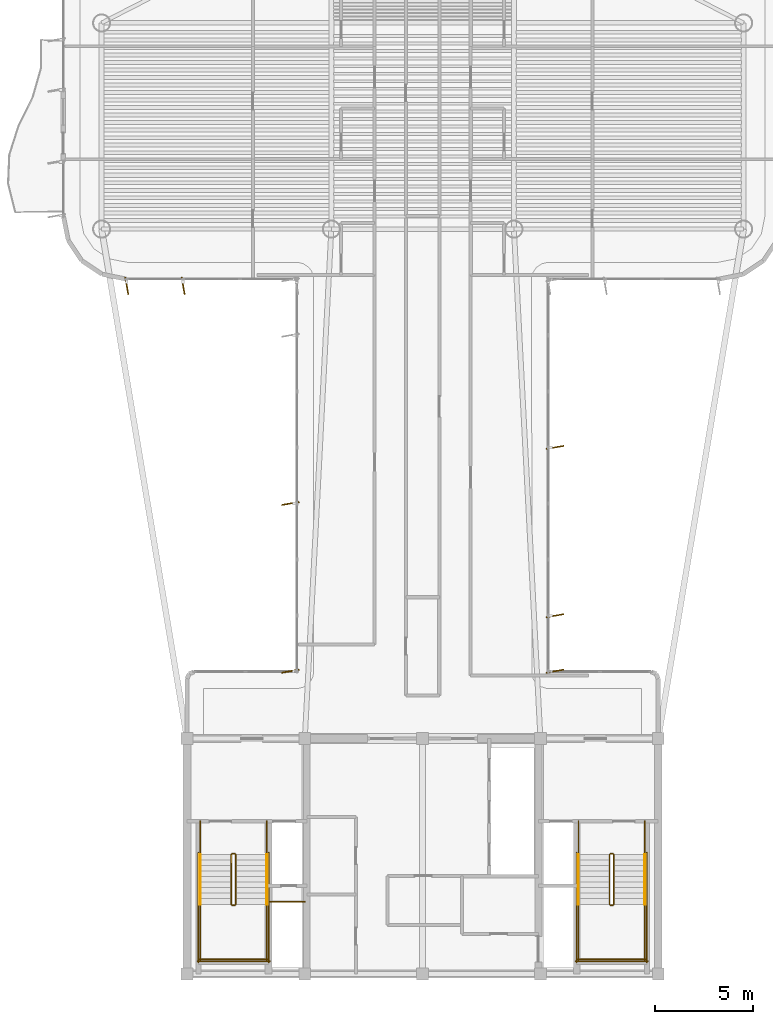
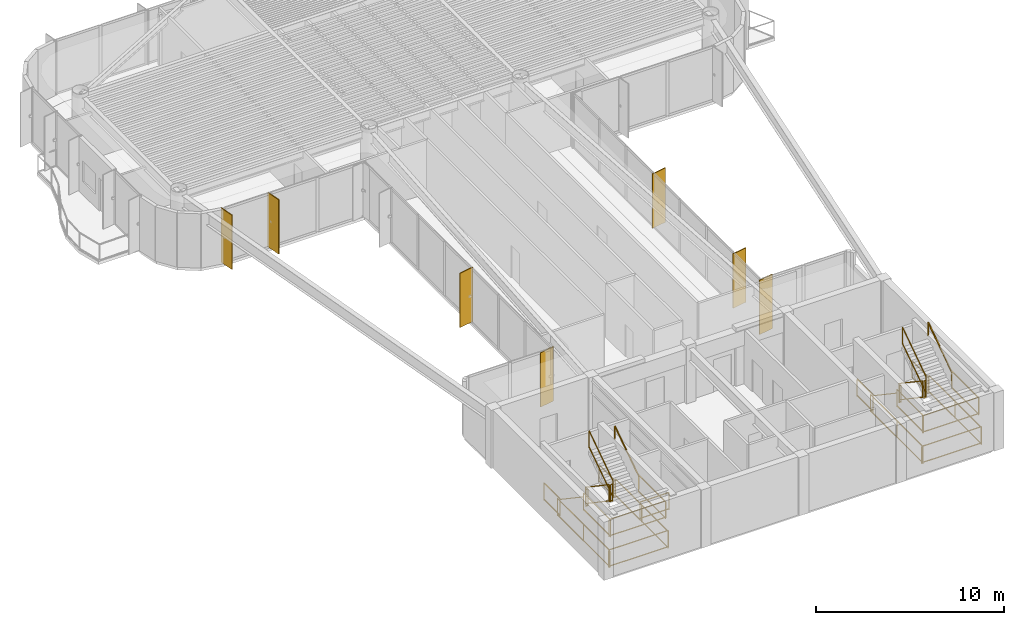
# One storey, part 15 of 16: 29 railings, 7 shading devices.
"""IFC4 building model written with IfcOpenShell, lengths in metres."""

from ifc_helpers import new_model, si_unit, direction, frame, origin, origin_2d, place, context, subcontext, project, spatial, rectangle, extrude, source, transform, mapped, material, layer, layer_set, material_profile, profile_set, type_object, element, save


model = new_model("IFC4")

# Units and contexts
model_context = context("Model", 3, precision=1e-05, world=origin(), true_north=direction((0.0, 1.0)))
body_context = subcontext(model_context, "Body", "Model", "MODEL_VIEW")
ifc_project = project(units=[si_unit("LENGTHUNIT", "METRE"), si_unit("AREAUNIT", "SQUARE_METRE"), si_unit("VOLUMEUNIT", "CUBIC_METRE"), si_unit("PLANEANGLEUNIT", "RADIAN"), si_unit("MASSUNIT", "GRAM", prefix="KILO")], contexts=[model_context])

# Site, building, storey
site_placement = place(None, origin())
site = spatial("IfcSite", under=ifc_project, at=site_placement, CompositionType="ELEMENT")
building_placement = place(site_placement, origin())
building = spatial("IfcBuilding", under=site, at=building_placement, Name="Brelvock Crest Care Tower", CompositionType="ELEMENT")
storey_placement = place(building_placement, frame((0.0, 0.0, 238.139892578125)))
storey = spatial("IfcBuildingStorey", under=building, at=storey_placement, Name="L60", CompositionType="ELEMENT", Elevation=238.139892578125)

# Railings
ifc_material_1 = material(Name="Steel Grade 350", Category="steel")
ifc_layer_1 = layer(ifc_material_1, 0.050048828125, Name="RL-STG1")
ifc_layer_set_1 = layer_set([ifc_layer_1], Name="Steel Grade 350")
railing_type_1 = type_object("IfcRailingType", Name="RL-STG1", PredefinedType="GUARDRAIL", material=ifc_layer_set_1)
railing_1_placement = place(storey_placement, frame((26.260009765625, 12.080078125, 0.189208984375)))
element("IfcRailing", 1, at=railing_1_placement, inside=storey, type_object=railing_type_1, Name="L60 ST-1 stair guard 1", PredefinedType="GUARDRAIL", context=body_context, shape_type="SweptSolid", body=[
    extrude(rectangle(XDim=0.048095703125, YDim=0.048095703125, at=origin_2d()), frame((0.0, -0.001708984375, 1.116943359375), z_axis=(0.0, -0.828861706735, 0.559453546873), x_axis=(1.0, 0.0, 0.0)), (0.0, 0.0, 1.0), 3.036376953125),
    extrude(rectangle(XDim=0.048095703125, YDim=0.048095703125, at=origin_2d()), frame((0.0, -0.001708984375, 0.05615234375), z_axis=(0.0, -0.828861706735, 0.559453546873), x_axis=(1.0, 0.0, 0.0)), (0.0, 0.0, 1.0), 3.036376953125),
    extrude(rectangle(XDim=0.0419921875, YDim=0.0419921875, at=origin_2d()), origin(), (0.0, 0.0, 1.0), 1.08984375),
    extrude(rectangle(XDim=0.0419921875, YDim=0.0419921875, at=origin_2d()), frame((0.0, -2.52001953125, 1.700927734375)), (0.0, 0.0, 1.0), 1.08984375),
])
railing_2_placement = place(storey_placement, frame((26.31005859375, 9.510009765625, 1.89013671875)))
element("IfcRailing", 2, at=railing_2_placement, inside=storey, type_object=railing_type_1, Name="L60 ST-1 stair guard 2", PredefinedType="GUARDRAIL", context=body_context, shape_type="SweptSolid", body=[
    extrude(rectangle(XDim=0.048095703125, YDim=0.048095703125, at=origin_2d()), frame((0.001953125, 0.0, 1.11572265625), z_axis=(1.0, 0.0, 0.0), x_axis=(0.0, 1.0, 0.0)), (0.0, 0.0, 1.0), 0.115966796875),
    extrude(rectangle(XDim=0.048095703125, YDim=0.048095703125, at=origin_2d()), frame((0.001953125, 0.0, 0.054931640625), z_axis=(1.0, 0.0, 0.0), x_axis=(0.0, 1.0, 0.0)), (0.0, 0.0, 1.0), 0.115966796875),
    extrude(rectangle(XDim=0.0419921875, YDim=0.0419921875, at=origin_2d()), origin(), (0.0, 0.0, 1.0), 1.08984375),
    extrude(rectangle(XDim=0.0419921875, YDim=0.0419921875, at=origin_2d()), frame((0.119873046875, 0.0, 0.0)), (0.0, 0.0, 1.0), 1.08984375),
])
for number, where, name in (
    (3, (24.679931640625, 9.56005859375, 1.89013671875), "L60 ST-1 stair guard 3"),
    (4, (28.06005859375, 9.56005859375, 1.89013671875), "L60 ST-1 stair guard 4"),
):
    element("IfcRailing", number, at=place(storey_placement, frame(where)), inside=storey, type_object=railing_type_1, Name=name, PredefinedType="GUARDRAIL", context=body_context, shape_type="SweptSolid", body=[
        extrude(rectangle(XDim=0.048095703125, YDim=0.048095703125, at=origin_2d()), frame((0.0, -0.001953125, 1.11572265625), z_axis=(0.0, -1.0, 0.0), x_axis=(1.0, 0.0, 0.0)), (0.0, 0.0, 1.0), 2.856201171875),
        extrude(rectangle(XDim=0.048095703125, YDim=0.048095703125, at=origin_2d()), frame((0.0, -0.001953125, 0.054931640625), z_axis=(0.0, -1.0, 0.0), x_axis=(1.0, 0.0, 0.0)), (0.0, 0.0, 1.0), 2.856201171875),
        extrude(rectangle(XDim=0.0419921875, YDim=0.0419921875, at=origin_2d()), origin(), (0.0, 0.0, 1.0), 1.08984375),
        extrude(rectangle(XDim=0.0419921875, YDim=0.0419921875, at=origin_2d()), frame((0.0, -2.860107421875, 0.0)), (0.0, 0.0, 1.0), 1.08984375),
    ])
railing_3_placement = place(storey_placement, frame((24.6298828125, 6.75, 1.89013671875)))
element("IfcRailing", 5, at=railing_3_placement, inside=storey, type_object=railing_type_1, Name="L60 ST-1 stair guard 5", PredefinedType="GUARDRAIL", context=body_context, shape_type="SweptSolid", body=[
    extrude(rectangle(XDim=0.048095703125, YDim=0.048095703125, at=origin_2d()), frame((0.001953125, 0.0, 1.11572265625), z_axis=(1.0, 0.0, 0.0), x_axis=(0.0, 1.0, 0.0)), (0.0, 0.0, 1.0), 3.476318359375),
    extrude(rectangle(XDim=0.048095703125, YDim=0.048095703125, at=origin_2d()), frame((0.001953125, 0.0, 0.054931640625), z_axis=(1.0, 0.0, 0.0), x_axis=(0.0, 1.0, 0.0)), (0.0, 0.0, 1.0), 3.476318359375),
    extrude(rectangle(XDim=0.0419921875, YDim=0.0419921875, at=origin_2d()), origin(), (0.0, 0.0, 1.0), 1.08984375),
    extrude(rectangle(XDim=0.0419921875, YDim=0.0419921875, at=origin_2d()), frame((3.480224609375, 0.0, 0.0)), (0.0, 0.0, 1.0), 1.08984375),
])
railing_4_placement = place(storey_placement, frame((26.47998046875, 9.56005859375, 2.0791015625)))
element("IfcRailing", 6, at=railing_4_placement, inside=storey, type_object=railing_type_1, Name="L60 ST-1 stair guard 6", PredefinedType="GUARDRAIL", context=body_context, shape_type="SweptSolid", body=[
    extrude(rectangle(XDim=0.048095703125, YDim=0.048095703125, at=origin_2d()), frame((0.0, 0.001708984375, 1.116943359375), z_axis=(0.0, 0.828861706735, 0.559453546873), x_axis=(-1.0, 0.0, 0.0)), (0.0, 0.0, 1.0), 3.036376953125),
    extrude(rectangle(XDim=0.048095703125, YDim=0.048095703125, at=origin_2d()), frame((0.0, 0.001708984375, 0.05615234375), z_axis=(0.0, 0.828861706735, 0.559453546873), x_axis=(-1.0, 0.0, 0.0)), (0.0, 0.0, 1.0), 3.036376953125),
    extrude(rectangle(XDim=0.0419921875, YDim=0.0419921875, at=origin_2d()), origin(), (0.0, 0.0, 1.0), 1.08984375),
    extrude(rectangle(XDim=0.0419921875, YDim=0.0419921875, at=origin_2d()), frame((0.0, 2.52001953125, 1.700927734375)), (0.0, 0.0, 1.0), 1.08984375),
])
railing_5_placement = place(storey_placement, frame((26.31005859375, 12.1298828125, 0.0)))
element("IfcRailing", 7, at=railing_5_placement, inside=storey, type_object=railing_type_1, Name="L60 ST-1 stair guard 7", PredefinedType="GUARDRAIL", context=body_context, shape_type="SweptSolid", body=[
    extrude(rectangle(XDim=0.048095703125, YDim=0.048095703125, at=origin_2d()), frame((0.001953125, 0.0, 1.11572265625), z_axis=(1.0, 0.0, 0.0), x_axis=(0.0, 1.0, 0.0)), (0.0, 0.0, 1.0), 0.115966796875),
    extrude(rectangle(XDim=0.048095703125, YDim=0.048095703125, at=origin_2d()), frame((0.001953125, 0.0, 0.054931640625), z_axis=(1.0, 0.0, 0.0), x_axis=(0.0, 1.0, 0.0)), (0.0, 0.0, 1.0), 0.115966796875),
    extrude(rectangle(XDim=0.0419921875, YDim=0.0419921875, at=origin_2d()), origin(), (0.0, 0.0, 1.0), 1.08984375),
    extrude(rectangle(XDim=0.0419921875, YDim=0.0419921875, at=origin_2d()), frame((0.119873046875, 0.0, 0.0)), (0.0, 0.0, 1.0), 1.08984375),
])
for number, where, name in (
    (8, (24.679931640625, 13.780029296875, 0.0), "L60 ST-1 stair guard 8"),
    (9, (28.06005859375, 13.780029296875, 0.0), "L60 ST-1 stair guard 9"),
):
    element("IfcRailing", number, at=place(storey_placement, frame(where)), inside=storey, type_object=railing_type_1, Name=name, PredefinedType="GUARDRAIL", context=body_context, shape_type="SweptSolid", body=[
        extrude(rectangle(XDim=0.048095703125, YDim=0.048095703125, at=origin_2d()), frame((0.0, -0.001953125, 1.11572265625), z_axis=(0.0, -1.0, 0.0), x_axis=(1.0, 0.0, 0.0)), (0.0, 0.0, 1.0), 1.696044921875),
        extrude(rectangle(XDim=0.048095703125, YDim=0.048095703125, at=origin_2d()), frame((0.0, -0.001953125, 0.054931640625), z_axis=(0.0, -1.0, 0.0), x_axis=(1.0, 0.0, 0.0)), (0.0, 0.0, 1.0), 1.696044921875),
        extrude(rectangle(XDim=0.0419921875, YDim=0.0419921875, at=origin_2d()), origin(), (0.0, 0.0, 1.0), 1.08984375),
        extrude(rectangle(XDim=0.0419921875, YDim=0.0419921875, at=origin_2d()), frame((0.0, -1.699951171875, 0.0)), (0.0, 0.0, 1.0), 1.08984375),
    ])
for number, where, name in (
    (10, (24.580078125, 12.179931640625, 0.0), "L60 ST-1 stair guard 10"),
    (11, (28.159912109375, 12.179931640625, 0.0), "L60 ST-1 stair guard 11"),
):
    element("IfcRailing", number, at=place(storey_placement, frame(where)), inside=storey, type_object=railing_type_1, Name=name, PredefinedType="GUARDRAIL", context=body_context, shape_type="SweptSolid", body=[
        extrude(rectangle(XDim=0.048095703125, YDim=0.048095703125, at=origin_2d()), frame((0.0, -0.001953125, 1.11572265625), z_axis=(0.0, -1.0, 0.0), x_axis=(1.0, 0.0, 0.0)), (0.0, 0.0, 1.0), 5.575927734375),
        extrude(rectangle(XDim=0.048095703125, YDim=0.048095703125, at=origin_2d()), frame((0.0, -0.001953125, 0.054931640625), z_axis=(0.0, -1.0, 0.0), x_axis=(1.0, 0.0, 0.0)), (0.0, 0.0, 1.0), 5.575927734375),
        extrude(rectangle(XDim=0.0419921875, YDim=0.0419921875, at=origin_2d()), origin(), (0.0, 0.0, 1.0), 1.08984375),
        extrude(rectangle(XDim=0.0419921875, YDim=0.0419921875, at=origin_2d()), frame((0.0, -2.7900390625, 0.0)), (0.0, 0.0, 1.0), 1.08984375),
        extrude(rectangle(XDim=0.0419921875, YDim=0.0419921875, at=origin_2d()), frame((0.0, -5.579833984375, 0.0)), (0.0, 0.0, 1.0), 1.08984375),
    ])
railing_6_placement = place(storey_placement, frame((24.530029296875, 6.64990234375, 0.0)))
element("IfcRailing", 12, at=railing_6_placement, inside=storey, type_object=railing_type_1, Name="L60 ST-1 stair guard 12", PredefinedType="GUARDRAIL", context=body_context, shape_type="SweptSolid", body=[
    extrude(rectangle(XDim=0.048095703125, YDim=0.048095703125, at=origin_2d()), frame((0.001953125, 0.0, 1.11572265625), z_axis=(1.0, 0.0, 0.0), x_axis=(0.0, 1.0, 0.0)), (0.0, 0.0, 1.0), 3.676025390625),
    extrude(rectangle(XDim=0.048095703125, YDim=0.048095703125, at=origin_2d()), frame((0.001953125, 0.0, 0.054931640625), z_axis=(1.0, 0.0, 0.0), x_axis=(0.0, 1.0, 0.0)), (0.0, 0.0, 1.0), 3.676025390625),
    extrude(rectangle(XDim=0.0419921875, YDim=0.0419921875, at=origin_2d()), origin(), (0.0, 0.0, 1.0), 1.08984375),
    extrude(rectangle(XDim=0.0419921875, YDim=0.0419921875, at=origin_2d()), frame((3.679931640625, 0.0, 0.0)), (0.0, 0.0, 1.0), 1.08984375),
])
railing_7_placement = place(storey_placement, frame((45.52001953125, 12.080078125, 0.189208984375)))
element("IfcRailing", 13, at=railing_7_placement, inside=storey, type_object=railing_type_1, Name="L60 ST-2 stair guard 1", PredefinedType="GUARDRAIL", context=body_context, shape_type="SweptSolid", body=[
    extrude(rectangle(XDim=0.048095703125, YDim=0.048095703125, at=origin_2d()), frame((0.0, -0.001708984375, 1.116943359375), z_axis=(0.0, -0.828861706735, 0.559453546873), x_axis=(1.0, 0.0, 0.0)), (0.0, 0.0, 1.0), 3.036376953125),
    extrude(rectangle(XDim=0.048095703125, YDim=0.048095703125, at=origin_2d()), frame((0.0, -0.001708984375, 0.05615234375), z_axis=(0.0, -0.828861706735, 0.559453546873), x_axis=(1.0, 0.0, 0.0)), (0.0, 0.0, 1.0), 3.036376953125),
    extrude(rectangle(XDim=0.0419921875, YDim=0.0419921875, at=origin_2d()), origin(), (0.0, 0.0, 1.0), 1.08984375),
    extrude(rectangle(XDim=0.0419921875, YDim=0.0419921875, at=origin_2d()), frame((0.0, -2.52001953125, 1.700927734375)), (0.0, 0.0, 1.0), 1.08984375),
])
railing_8_placement = place(storey_placement, frame((45.570068359375, 9.510009765625, 1.89013671875)))
element("IfcRailing", 14, at=railing_8_placement, inside=storey, type_object=railing_type_1, Name="L60 ST-2 stair guard 2", PredefinedType="GUARDRAIL", context=body_context, shape_type="SweptSolid", body=[
    extrude(rectangle(XDim=0.048095703125, YDim=0.048095703125, at=origin_2d()), frame((0.001953125, 0.0, 1.11572265625), z_axis=(1.0, 0.0, 0.0), x_axis=(0.0, 1.0, 0.0)), (0.0, 0.0, 1.0), 0.115966796875),
    extrude(rectangle(XDim=0.048095703125, YDim=0.048095703125, at=origin_2d()), frame((0.001953125, 0.0, 0.054931640625), z_axis=(1.0, 0.0, 0.0), x_axis=(0.0, 1.0, 0.0)), (0.0, 0.0, 1.0), 0.115966796875),
    extrude(rectangle(XDim=0.0419921875, YDim=0.0419921875, at=origin_2d()), origin(), (0.0, 0.0, 1.0), 1.08984375),
    extrude(rectangle(XDim=0.0419921875, YDim=0.0419921875, at=origin_2d()), frame((0.119873046875, 0.0, 0.0)), (0.0, 0.0, 1.0), 1.08984375),
])
for number, where, name in (
    (15, (43.93994140625, 9.56005859375, 1.89013671875), "L60 ST-2 stair guard 3"),
    (16, (47.320068359375, 9.56005859375, 1.89013671875), "L60 ST-2 stair guard 4"),
):
    element("IfcRailing", number, at=place(storey_placement, frame(where)), inside=storey, type_object=railing_type_1, Name=name, PredefinedType="GUARDRAIL", context=body_context, shape_type="SweptSolid", body=[
        extrude(rectangle(XDim=0.048095703125, YDim=0.048095703125, at=origin_2d()), frame((0.0, -0.001953125, 1.11572265625), z_axis=(0.0, -1.0, 0.0), x_axis=(1.0, 0.0, 0.0)), (0.0, 0.0, 1.0), 2.856201171875),
        extrude(rectangle(XDim=0.048095703125, YDim=0.048095703125, at=origin_2d()), frame((0.0, -0.001953125, 0.054931640625), z_axis=(0.0, -1.0, 0.0), x_axis=(1.0, 0.0, 0.0)), (0.0, 0.0, 1.0), 2.856201171875),
        extrude(rectangle(XDim=0.0419921875, YDim=0.0419921875, at=origin_2d()), origin(), (0.0, 0.0, 1.0), 1.08984375),
        extrude(rectangle(XDim=0.0419921875, YDim=0.0419921875, at=origin_2d()), frame((0.0, -2.860107421875, 0.0)), (0.0, 0.0, 1.0), 1.08984375),
    ])
railing_9_placement = place(storey_placement, frame((43.889892578125, 6.75, 1.89013671875)))
element("IfcRailing", 17, at=railing_9_placement, inside=storey, type_object=railing_type_1, Name="L60 ST-2 stair guard 5", PredefinedType="GUARDRAIL", context=body_context, shape_type="SweptSolid", body=[
    extrude(rectangle(XDim=0.048095703125, YDim=0.048095703125, at=origin_2d()), frame((0.001953125, 0.0, 1.11572265625), z_axis=(1.0, 0.0, 0.0), x_axis=(0.0, 1.0, 0.0)), (0.0, 0.0, 1.0), 3.476318359375),
    extrude(rectangle(XDim=0.048095703125, YDim=0.048095703125, at=origin_2d()), frame((0.001953125, 0.0, 0.054931640625), z_axis=(1.0, 0.0, 0.0), x_axis=(0.0, 1.0, 0.0)), (0.0, 0.0, 1.0), 3.476318359375),
    extrude(rectangle(XDim=0.0419921875, YDim=0.0419921875, at=origin_2d()), origin(), (0.0, 0.0, 1.0), 1.08984375),
    extrude(rectangle(XDim=0.0419921875, YDim=0.0419921875, at=origin_2d()), frame((3.480224609375, 0.0, 0.0)), (0.0, 0.0, 1.0), 1.08984375),
])
railing_10_placement = place(storey_placement, frame((45.739990234375, 9.56005859375, 2.0791015625)))
element("IfcRailing", 18, at=railing_10_placement, inside=storey, type_object=railing_type_1, Name="L60 ST-2 stair guard 6", PredefinedType="GUARDRAIL", context=body_context, shape_type="SweptSolid", body=[
    extrude(rectangle(XDim=0.048095703125, YDim=0.048095703125, at=origin_2d()), frame((0.0, 0.001708984375, 1.116943359375), z_axis=(0.0, 0.828861706735, 0.559453546873), x_axis=(-1.0, 0.0, 0.0)), (0.0, 0.0, 1.0), 3.036376953125),
    extrude(rectangle(XDim=0.048095703125, YDim=0.048095703125, at=origin_2d()), frame((0.0, 0.001708984375, 0.05615234375), z_axis=(0.0, 0.828861706735, 0.559453546873), x_axis=(-1.0, 0.0, 0.0)), (0.0, 0.0, 1.0), 3.036376953125),
    extrude(rectangle(XDim=0.0419921875, YDim=0.0419921875, at=origin_2d()), origin(), (0.0, 0.0, 1.0), 1.08984375),
    extrude(rectangle(XDim=0.0419921875, YDim=0.0419921875, at=origin_2d()), frame((0.0, 2.52001953125, 1.700927734375)), (0.0, 0.0, 1.0), 1.08984375),
])
railing_11_placement = place(storey_placement, frame((45.570068359375, 12.1298828125, 0.0)))
element("IfcRailing", 19, at=railing_11_placement, inside=storey, type_object=railing_type_1, Name="L60 ST-2 stair guard 7", PredefinedType="GUARDRAIL", context=body_context, shape_type="SweptSolid", body=[
    extrude(rectangle(XDim=0.048095703125, YDim=0.048095703125, at=origin_2d()), frame((0.001953125, 0.0, 1.11572265625), z_axis=(1.0, 0.0, 0.0), x_axis=(0.0, 1.0, 0.0)), (0.0, 0.0, 1.0), 0.115966796875),
    extrude(rectangle(XDim=0.048095703125, YDim=0.048095703125, at=origin_2d()), frame((0.001953125, 0.0, 0.054931640625), z_axis=(1.0, 0.0, 0.0), x_axis=(0.0, 1.0, 0.0)), (0.0, 0.0, 1.0), 0.115966796875),
    extrude(rectangle(XDim=0.0419921875, YDim=0.0419921875, at=origin_2d()), origin(), (0.0, 0.0, 1.0), 1.08984375),
    extrude(rectangle(XDim=0.0419921875, YDim=0.0419921875, at=origin_2d()), frame((0.119873046875, 0.0, 0.0)), (0.0, 0.0, 1.0), 1.08984375),
])
for number, where, name in (
    (20, (43.93994140625, 13.780029296875, 0.0), "L60 ST-2 stair guard 8"),
    (21, (47.320068359375, 13.780029296875, 0.0), "L60 ST-2 stair guard 9"),
):
    element("IfcRailing", number, at=place(storey_placement, frame(where)), inside=storey, type_object=railing_type_1, Name=name, PredefinedType="GUARDRAIL", context=body_context, shape_type="SweptSolid", body=[
        extrude(rectangle(XDim=0.048095703125, YDim=0.048095703125, at=origin_2d()), frame((0.0, -0.001953125, 1.11572265625), z_axis=(0.0, -1.0, 0.0), x_axis=(1.0, 0.0, 0.0)), (0.0, 0.0, 1.0), 1.696044921875),
        extrude(rectangle(XDim=0.048095703125, YDim=0.048095703125, at=origin_2d()), frame((0.0, -0.001953125, 0.054931640625), z_axis=(0.0, -1.0, 0.0), x_axis=(1.0, 0.0, 0.0)), (0.0, 0.0, 1.0), 1.696044921875),
        extrude(rectangle(XDim=0.0419921875, YDim=0.0419921875, at=origin_2d()), origin(), (0.0, 0.0, 1.0), 1.08984375),
        extrude(rectangle(XDim=0.0419921875, YDim=0.0419921875, at=origin_2d()), frame((0.0, -1.699951171875, 0.0)), (0.0, 0.0, 1.0), 1.08984375),
    ])
for number, where, name in (
    (22, (43.840087890625, 12.179931640625, 0.0), "L60 ST-2 stair guard 10"),
    (23, (47.419921875, 12.179931640625, 0.0), "L60 ST-2 stair guard 11"),
):
    element("IfcRailing", number, at=place(storey_placement, frame(where)), inside=storey, type_object=railing_type_1, Name=name, PredefinedType="GUARDRAIL", context=body_context, shape_type="SweptSolid", body=[
        extrude(rectangle(XDim=0.048095703125, YDim=0.048095703125, at=origin_2d()), frame((0.0, -0.001953125, 1.11572265625), z_axis=(0.0, -1.0, 0.0), x_axis=(1.0, 0.0, 0.0)), (0.0, 0.0, 1.0), 5.575927734375),
        extrude(rectangle(XDim=0.048095703125, YDim=0.048095703125, at=origin_2d()), frame((0.0, -0.001953125, 0.054931640625), z_axis=(0.0, -1.0, 0.0), x_axis=(1.0, 0.0, 0.0)), (0.0, 0.0, 1.0), 5.575927734375),
        extrude(rectangle(XDim=0.0419921875, YDim=0.0419921875, at=origin_2d()), origin(), (0.0, 0.0, 1.0), 1.08984375),
        extrude(rectangle(XDim=0.0419921875, YDim=0.0419921875, at=origin_2d()), frame((0.0, -2.7900390625, 0.0)), (0.0, 0.0, 1.0), 1.08984375),
        extrude(rectangle(XDim=0.0419921875, YDim=0.0419921875, at=origin_2d()), frame((0.0, -5.579833984375, 0.0)), (0.0, 0.0, 1.0), 1.08984375),
    ])
railing_12_placement = place(storey_placement, frame((43.7900390625, 6.64990234375, 0.0)))
element("IfcRailing", 24, at=railing_12_placement, inside=storey, type_object=railing_type_1, Name="L60 ST-2 stair guard 12", PredefinedType="GUARDRAIL", context=body_context, shape_type="SweptSolid", body=[
    extrude(rectangle(XDim=0.048095703125, YDim=0.048095703125, at=origin_2d()), frame((0.001953125, 0.0, 1.11572265625), z_axis=(1.0, 0.0, 0.0), x_axis=(0.0, 1.0, 0.0)), (0.0, 0.0, 1.0), 3.676025390625),
    extrude(rectangle(XDim=0.048095703125, YDim=0.048095703125, at=origin_2d()), frame((0.001953125, 0.0, 0.054931640625), z_axis=(1.0, 0.0, 0.0), x_axis=(0.0, 1.0, 0.0)), (0.0, 0.0, 1.0), 3.676025390625),
    extrude(rectangle(XDim=0.0419921875, YDim=0.0419921875, at=origin_2d()), origin(), (0.0, 0.0, 1.0), 1.08984375),
    extrude(rectangle(XDim=0.0419921875, YDim=0.0419921875, at=origin_2d()), frame((3.679931640625, 0.0, 0.0)), (0.0, 0.0, 1.0), 1.08984375),
])
railing_13_placement = place(storey_placement, frame((28.219970703125, 9.679931640625, 0.0)))
element("IfcRailing", 25, at=railing_13_placement, inside=storey, type_object=railing_type_1, Name="L60 Fire Riser Threshold Guard", PredefinedType="GUARDRAIL", context=body_context, shape_type="SweptSolid", body=[
    extrude(rectangle(XDim=0.048095703125, YDim=0.048095703125, at=origin_2d()), frame((0.001953125, 0.0, 1.11572265625), z_axis=(1.0, 0.0, 0.0), x_axis=(0.0, 1.0, 0.0)), (0.0, 0.0, 1.0), 1.776123046875),
    extrude(rectangle(XDim=0.048095703125, YDim=0.048095703125, at=origin_2d()), frame((0.001953125, 0.0, 0.054931640625), z_axis=(1.0, 0.0, 0.0), x_axis=(0.0, 1.0, 0.0)), (0.0, 0.0, 1.0), 1.776123046875),
    extrude(rectangle(XDim=0.0419921875, YDim=0.0419921875, at=origin_2d()), origin(), (0.0, 0.0, 1.0), 1.08984375),
    extrude(rectangle(XDim=0.0419921875, YDim=0.0419921875, at=origin_2d()), frame((1.780029296875, 0.0, 0.0)), (0.0, 0.0, 1.0), 1.08984375),
])
ifc_layer_2 = layer(ifc_material_1, 0.048095703125, Name="RL-STH1")
ifc_layer_set_2 = layer_set([ifc_layer_2], Name="Steel Grade 350")
railing_type_2 = type_object("IfcRailingType", Name="RL-STH1", PredefinedType="HANDRAIL", material=ifc_layer_set_2)
railing_14_placement = place(storey_placement, frame((24.679931640625, 12.080078125, 0.189208984375)))
element("IfcRailing", 26, at=railing_14_placement, inside=storey, type_object=railing_type_2, Name="L60 ST-1 stair handrail 1", PredefinedType="HANDRAIL", context=body_context, shape_type="SweptSolid", body=[
    extrude(rectangle(XDim=0.048095703125, YDim=0.048095703125, at=origin_2d()), frame((0.0, -0.001708984375, 0.876953125), z_axis=(0.0, -0.828861706735, 0.559453546873), x_axis=(1.0, 0.0, 0.0)), (0.0, 0.0, 1.0), 3.036376953125),
    extrude(rectangle(XDim=0.0419921875, YDim=0.0419921875, at=origin_2d()), origin(), (0.0, 0.0, 1.0), 0.849853515625),
    extrude(rectangle(XDim=0.0419921875, YDim=0.0419921875, at=origin_2d()), frame((0.0, -2.52001953125, 1.700927734375)), (0.0, 0.0, 1.0), 0.849853515625),
])
railing_15_placement = place(storey_placement, frame((28.06005859375, 9.56005859375, 2.0791015625)))
element("IfcRailing", 27, at=railing_15_placement, inside=storey, type_object=railing_type_2, Name="L60 ST-1 stair handrail 2", PredefinedType="HANDRAIL", context=body_context, shape_type="SweptSolid", body=[
    extrude(rectangle(XDim=0.048095703125, YDim=0.048095703125, at=origin_2d()), frame((0.0, 0.001708984375, 0.876953125), z_axis=(0.0, 0.828861706735, 0.559453546873), x_axis=(-1.0, 0.0, 0.0)), (0.0, 0.0, 1.0), 3.036376953125),
    extrude(rectangle(XDim=0.0419921875, YDim=0.0419921875, at=origin_2d()), origin(), (0.0, 0.0, 1.0), 0.849853515625),
    extrude(rectangle(XDim=0.0419921875, YDim=0.0419921875, at=origin_2d()), frame((0.0, 2.52001953125, 1.700927734375)), (0.0, 0.0, 1.0), 0.849853515625),
])
railing_16_placement = place(storey_placement, frame((43.93994140625, 12.080078125, 0.189208984375)))
element("IfcRailing", 28, at=railing_16_placement, inside=storey, type_object=railing_type_2, Name="L60 ST-2 stair handrail 1", PredefinedType="HANDRAIL", context=body_context, shape_type="SweptSolid", body=[
    extrude(rectangle(XDim=0.048095703125, YDim=0.048095703125, at=origin_2d()), frame((0.0, -0.001708984375, 0.876953125), z_axis=(0.0, -0.828861706735, 0.559453546873), x_axis=(1.0, 0.0, 0.0)), (0.0, 0.0, 1.0), 3.036376953125),
    extrude(rectangle(XDim=0.0419921875, YDim=0.0419921875, at=origin_2d()), origin(), (0.0, 0.0, 1.0), 0.849853515625),
    extrude(rectangle(XDim=0.0419921875, YDim=0.0419921875, at=origin_2d()), frame((0.0, -2.52001953125, 1.700927734375)), (0.0, 0.0, 1.0), 0.849853515625),
])
railing_17_placement = place(storey_placement, frame((47.320068359375, 9.56005859375, 2.0791015625)))
element("IfcRailing", 29, at=railing_17_placement, inside=storey, type_object=railing_type_2, Name="L60 ST-2 stair handrail 2", PredefinedType="HANDRAIL", context=body_context, shape_type="SweptSolid", body=[
    extrude(rectangle(XDim=0.048095703125, YDim=0.048095703125, at=origin_2d()), frame((0.0, 0.001708984375, 0.876953125), z_axis=(0.0, 0.828861706735, 0.559453546873), x_axis=(-1.0, 0.0, 0.0)), (0.0, 0.0, 1.0), 3.036376953125),
    extrude(rectangle(XDim=0.0419921875, YDim=0.0419921875, at=origin_2d()), origin(), (0.0, 0.0, 1.0), 0.849853515625),
    extrude(rectangle(XDim=0.0419921875, YDim=0.0419921875, at=origin_2d()), frame((0.0, 2.52001953125, 1.700927734375)), (0.0, 0.0, 1.0), 0.849853515625),
])

# Shading devices
ifc_material_2 = material(Name="Aluminium 6063-T6", Category="aluminium")
ifc_material_profile = material_profile(ifc_material_2, rectangle(XDim=0.054931640625, YDim=0.89990234375, at=origin_2d()), Name="FIN55x900")
ifc_profile_set = profile_set([ifc_material_profile], Name="Aluminium 6063-T6")
shading_device_type = type_object("IfcShadingDeviceType", Name="SHD-FIN1", PredefinedType="USERDEFINED", material=ifc_profile_set)
shared_shape = source(origin(), body_context, "Body", "SweptSolid", [
    extrude(rectangle(XDim=0.054931640625, YDim=0.89990234375, at=origin_2d()), origin(), (0.0, 0.0, 1.0), 3.530029296875),
])
for number, where, z_axis, x_axis, name in (
    (30, (29.260009765625, 21.429931640625, 0.0), (0.0, 0.0, 1.0), (-0.173648177667, 0.984807753012, 0.0), "L60 Vertical Sunshade Fin E11-01"),
    (31, (29.260009765625, 29.971435546875, 0.0), (0.0, 0.0, 1.0), (-0.173648177667, 0.984807753012, 0.0), "L60 Vertical Sunshade Fin E11-04"),
    (32, (23.800048828125, 41.06005859375, 0.0), (0.0, 0.0, 1.0), (-0.984807753012, -0.173648177667, 0.0), "L60 Vertical Sunshade Fin E12-03"),
    (33, (20.929931640625, 41.06005859375, 0.0), (0.0, 0.0, 1.0), (-0.984807753012, -0.173648177667, 0.0), "L60 Vertical Sunshade Fin E12-04"),
    (34, (42.739990234375, 32.82861328125, 0.0), (0.0, 0.0, 1.0), (0.173648177667, -0.984807753012, 0.0), "L60 Vertical Sunshade Fin E45-04"),
    (35, (42.739990234375, 24.257080078125, 0.0), (0.0, 0.0, 1.0), (0.173648177667, -0.984807753012, 0.0), "L60 Vertical Sunshade Fin E45-07"),
    (36, (42.739990234375, 21.429931640625, 0.0), (0.0, 0.0, 1.0), (0.173648177667, -0.984807753012, 0.0), "L60 Vertical Sunshade Fin E45-08"),
):
    element("IfcShadingDevice", number, at=place(storey_placement, frame(where, z_axis=z_axis, x_axis=x_axis)), inside=storey, type_object=shading_device_type, Name=name, ObjectType="FIN", PredefinedType="USERDEFINED", context=body_context, shape_type="MappedRepresentation", body=[
        mapped(shared_shape, transform((0.0, 0.0, 0.0), x_axis=(1.0, 0.0, 0.0), y_axis=(0.0, 1.0, 0.0), z_axis=(0.0, 0.0, 1.0), scale=1.0)),
    ])

save(model, "model.ifc")
